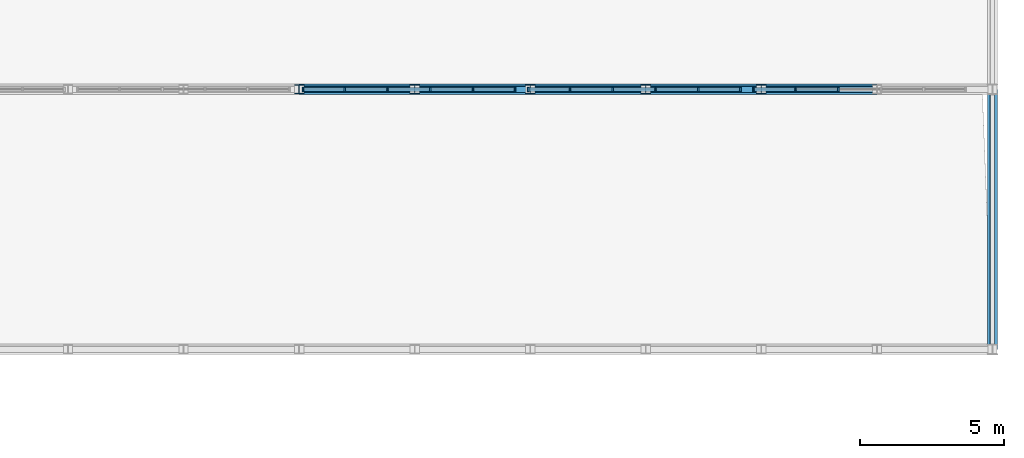
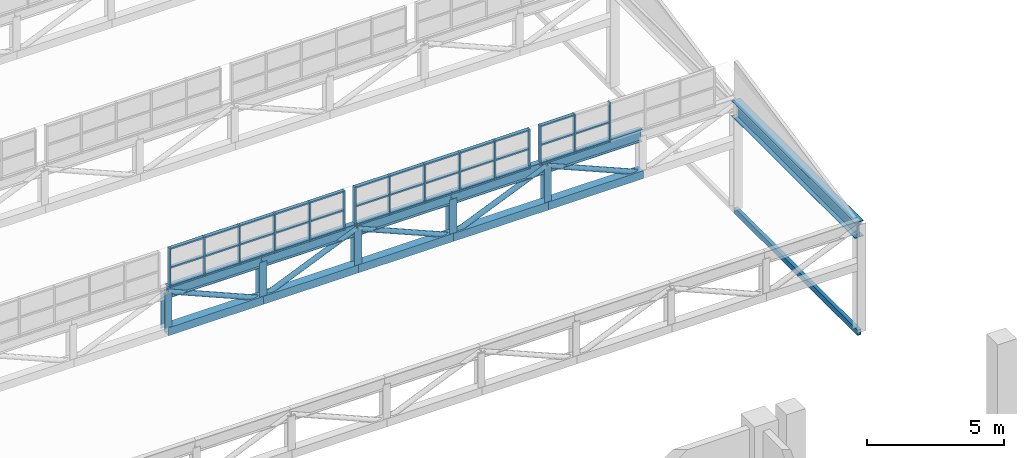
# One storey, part 86 of 159: 70 members, 2 beams, 3 elements without a shape of their own.
"""IFC4 building model written with IfcOpenShell, lengths in metres."""

from ifc_helpers import new_model, si_unit, direction, frame, origin, origin_2d, place, context, subcontext, project, spatial, rectangle, hollow_rectangle, hollow_circle, i_section, extrude, material, layer, layer_set, material_profile, profile_set, type_object, element, aggregate, save


model = new_model("IFC4")

# Units and contexts
model_context = context("Model", 3, precision=1e-05, world=origin(), true_north=direction((0.0, 1.0)))
body_context = subcontext(model_context, "Body", "Model", "MODEL_VIEW")
ifc_project = project(units=[si_unit("LENGTHUNIT", "METRE"), si_unit("AREAUNIT", "SQUARE_METRE"), si_unit("VOLUMEUNIT", "CUBIC_METRE"), si_unit("PLANEANGLEUNIT", "RADIAN"), si_unit("MASSUNIT", "GRAM", prefix="KILO")], contexts=[model_context])

# Site, building, storey
site_placement = place(None, origin())
site = spatial("IfcSite", under=ifc_project, at=site_placement, CompositionType="ELEMENT")
building_placement = place(site_placement, origin())
building = spatial("IfcBuilding", under=site, at=building_placement, Name="Cazmaro Siding Exhibition Halls", CompositionType="ELEMENT")
storey_placement = place(building_placement, frame((0.0, 0.0, 6.0)))
storey = spatial("IfcBuildingStorey", under=building, at=storey_placement, Name="L01", CompositionType="ELEMENT", Elevation=6.0)

# Curtain wall, members
ifc_material_1 = material(Name="Anodized Bronze Aluminum and Solar-Control Low-E Glazing", Category="aluminium")
ifc_layer = layer(ifc_material_1, 0.159912109375)
ifc_layer_set = layer_set([ifc_layer], Name="Anodized Bronze Aluminum and Solar-Control Low-E Glazing")
curtain_wall_type = type_object("IfcCurtainWallType", Name="CWS-04", PredefinedType="USERDEFINED", material=ifc_layer_set)
curtain_wall_1_placement = place(storey_placement, origin())
curtain_wall_1 = element("IfcCurtainWall", 1, at=curtain_wall_1_placement, inside=storey, type_object=curtain_wall_type, Name="Clerestory Curtain Wall CWS-04 CW-112", ObjectType="CLERESTORY CURTAIN WALL", PredefinedType="USERDEFINED")
ifc_material_2 = material(Name="Anodized Bronze Extruded Aluminum", Category="aluminium")
ifc_material_profile_1 = material_profile(ifc_material_2, rectangle(XDim=0.159912109375, YDim=0.06005859375, at=origin_2d()), Name="CWM-04")
ifc_profile_set_1 = profile_set([ifc_material_profile_1], Name="Anodized Bronze Extruded Aluminum")
member_type_1 = type_object("IfcMemberType", Name="CWM-04", PredefinedType="MULLION", material=ifc_profile_set_1)
member_1_placement = place(storey_placement, frame((199.469970703125, 73.0, 4.800048828125), z_axis=(0.0, 0.0, 1.0), x_axis=(0.0, -1.0, 0.0)))
member_1 = element("IfcMember", 2, at=member_1_placement, type_object=member_type_1, Name="CWS-04 mullion 1", PredefinedType="MULLION", context=body_context, shape_type="SweptSolid", body=[
    extrude(rectangle(XDim=0.159912109375, YDim=0.06005859375, at=origin_2d()), origin(), (0.0, 0.0, 1.0), 1.75),
])
member_2_placement = place(storey_placement, frame((198.02001953125, 73.0, 4.800048828125), z_axis=(0.0, 0.0, 1.0), x_axis=(0.0, -1.0, 0.0)))
member_2 = element("IfcMember", 3, at=member_2_placement, type_object=member_type_1, Name="CWS-04 mullion 2", PredefinedType="MULLION", context=body_context, shape_type="SweptSolid", body=[
    extrude(rectangle(XDim=0.159912109375, YDim=0.06005859375, at=origin_2d()), origin(), (0.0, 0.0, 1.0), 1.75),
])
member_3_placement = place(storey_placement, frame((196.5400390625, 73.0, 4.800048828125), z_axis=(0.0, 0.0, 1.0), x_axis=(0.0, -1.0, 0.0)))
member_3 = element("IfcMember", 4, at=member_3_placement, type_object=member_type_1, Name="CWS-04 mullion 3", PredefinedType="MULLION", context=body_context, shape_type="SweptSolid", body=[
    extrude(rectangle(XDim=0.159912109375, YDim=0.06005859375, at=origin_2d()), origin(), (0.0, 0.0, 1.0), 1.75),
])
member_4_placement = place(storey_placement, frame((195.06005859375, 73.0, 4.800048828125), z_axis=(0.0, 0.0, 1.0), x_axis=(0.0, -1.0, 0.0)))
member_4 = element("IfcMember", 5, at=member_4_placement, type_object=member_type_1, Name="CWS-04 mullion 4", PredefinedType="MULLION", context=body_context, shape_type="SweptSolid", body=[
    extrude(rectangle(XDim=0.159912109375, YDim=0.06005859375, at=origin_2d()), origin(), (0.0, 0.0, 1.0), 1.75),
])
member_5_placement = place(storey_placement, frame((193.580078125, 73.0, 4.800048828125), z_axis=(0.0, 0.0, 1.0), x_axis=(0.0, -1.0, 0.0)))
member_5 = element("IfcMember", 6, at=member_5_placement, type_object=member_type_1, Name="CWS-04 mullion 5", PredefinedType="MULLION", context=body_context, shape_type="SweptSolid", body=[
    extrude(rectangle(XDim=0.159912109375, YDim=0.06005859375, at=origin_2d()), origin(), (0.0, 0.0, 1.0), 1.75),
])
member_6_placement = place(storey_placement, frame((192.1298828125, 73.0, 4.800048828125), z_axis=(0.0, 0.0, 1.0), x_axis=(0.0, -1.0, 0.0)))
member_6 = element("IfcMember", 7, at=member_6_placement, type_object=member_type_1, Name="CWS-04 mullion 6", PredefinedType="MULLION", context=body_context, shape_type="SweptSolid", body=[
    extrude(rectangle(XDim=0.159912109375, YDim=0.06005859375, at=origin_2d()), origin(), (0.0, 0.0, 1.0), 1.75),
])

curtain_wall_2_placement = place(storey_placement, origin())
curtain_wall_2 = element("IfcCurtainWall", 8, at=curtain_wall_2_placement, inside=storey, type_object=curtain_wall_type, Name="Clerestory Curtain Wall CWS-04 CW-113", ObjectType="CLERESTORY CURTAIN WALL", PredefinedType="USERDEFINED")
member_7_placement = place(storey_placement, frame((207.27001953125, 73.0, 4.800048828125), z_axis=(0.0, 0.0, 1.0), x_axis=(0.0, -1.0, 0.0)))
member_7 = element("IfcMember", 9, at=member_7_placement, type_object=member_type_1, Name="CWS-04 mullion 1", PredefinedType="MULLION", context=body_context, shape_type="SweptSolid", body=[
    extrude(rectangle(XDim=0.159912109375, YDim=0.06005859375, at=origin_2d()), origin(), (0.0, 0.0, 1.0), 1.75),
])
member_8_placement = place(storey_placement, frame((205.820068359375, 73.0, 4.800048828125), z_axis=(0.0, 0.0, 1.0), x_axis=(0.0, -1.0, 0.0)))
member_8 = element("IfcMember", 10, at=member_8_placement, type_object=member_type_1, Name="CWS-04 mullion 2", PredefinedType="MULLION", context=body_context, shape_type="SweptSolid", body=[
    extrude(rectangle(XDim=0.159912109375, YDim=0.06005859375, at=origin_2d()), origin(), (0.0, 0.0, 1.0), 1.75),
])
member_9_placement = place(storey_placement, frame((204.340087890625, 73.0, 4.800048828125), z_axis=(0.0, 0.0, 1.0), x_axis=(0.0, -1.0, 0.0)))
member_9 = element("IfcMember", 11, at=member_9_placement, type_object=member_type_1, Name="CWS-04 mullion 3", PredefinedType="MULLION", context=body_context, shape_type="SweptSolid", body=[
    extrude(rectangle(XDim=0.159912109375, YDim=0.06005859375, at=origin_2d()), origin(), (0.0, 0.0, 1.0), 1.75),
])
member_10_placement = place(storey_placement, frame((202.860107421875, 73.0, 4.800048828125), z_axis=(0.0, 0.0, 1.0), x_axis=(0.0, -1.0, 0.0)))
member_10 = element("IfcMember", 12, at=member_10_placement, type_object=member_type_1, Name="CWS-04 mullion 4", PredefinedType="MULLION", context=body_context, shape_type="SweptSolid", body=[
    extrude(rectangle(XDim=0.159912109375, YDim=0.06005859375, at=origin_2d()), origin(), (0.0, 0.0, 1.0), 1.75),
])
member_11_placement = place(storey_placement, frame((201.3798828125, 73.0, 4.800048828125), z_axis=(0.0, 0.0, 1.0), x_axis=(0.0, -1.0, 0.0)))
member_11 = element("IfcMember", 13, at=member_11_placement, type_object=member_type_1, Name="CWS-04 mullion 5", PredefinedType="MULLION", context=body_context, shape_type="SweptSolid", body=[
    extrude(rectangle(XDim=0.159912109375, YDim=0.06005859375, at=origin_2d()), origin(), (0.0, 0.0, 1.0), 1.75),
])
member_12_placement = place(storey_placement, frame((199.929931640625, 73.0, 4.800048828125), z_axis=(0.0, 0.0, 1.0), x_axis=(0.0, -1.0, 0.0)))
member_12 = element("IfcMember", 14, at=member_12_placement, type_object=member_type_1, Name="CWS-04 mullion 6", PredefinedType="MULLION", context=body_context, shape_type="SweptSolid", body=[
    extrude(rectangle(XDim=0.159912109375, YDim=0.06005859375, at=origin_2d()), origin(), (0.0, 0.0, 1.0), 1.75),
])

curtain_wall_3_placement = place(storey_placement, origin())
curtain_wall_3 = element("IfcCurtainWall", 15, at=curtain_wall_3_placement, inside=storey, type_object=curtain_wall_type, Name="Clerestory Curtain Wall CWS-04 CW-114", ObjectType="CLERESTORY CURTAIN WALL", PredefinedType="USERDEFINED")
member_13_placement = place(storey_placement, frame((210.659912109375, 73.0, 4.800048828125), z_axis=(0.0, 0.0, 1.0), x_axis=(0.0, -1.0, 0.0)))
member_13 = element("IfcMember", 16, at=member_13_placement, type_object=member_type_1, Name="CWS-04 mullion 4", PredefinedType="MULLION", context=body_context, shape_type="SweptSolid", body=[
    extrude(rectangle(XDim=0.159912109375, YDim=0.06005859375, at=origin_2d()), origin(), (0.0, 0.0, 1.0), 1.75),
])
member_14_placement = place(storey_placement, frame((209.179931640625, 73.0, 4.800048828125), z_axis=(0.0, 0.0, 1.0), x_axis=(0.0, -1.0, 0.0)))
member_14 = element("IfcMember", 17, at=member_14_placement, type_object=member_type_1, Name="CWS-04 mullion 5", PredefinedType="MULLION", context=body_context, shape_type="SweptSolid", body=[
    extrude(rectangle(XDim=0.159912109375, YDim=0.06005859375, at=origin_2d()), origin(), (0.0, 0.0, 1.0), 1.75),
])
member_15_placement = place(storey_placement, frame((207.72998046875, 73.0, 4.800048828125), z_axis=(0.0, 0.0, 1.0), x_axis=(0.0, -1.0, 0.0)))
member_15 = element("IfcMember", 18, at=member_15_placement, type_object=member_type_1, Name="CWS-04 mullion 6", PredefinedType="MULLION", context=body_context, shape_type="SweptSolid", body=[
    extrude(rectangle(XDim=0.159912109375, YDim=0.06005859375, at=origin_2d()), origin(), (0.0, 0.0, 1.0), 1.75),
])

# Member
ifc_material_3 = material(Name="Anodized Bronze Extruded Aluminum", Category="aluminium")
ifc_material_profile_2 = material_profile(ifc_material_3, rectangle(XDim=0.139892578125, YDim=0.06005859375, at=origin_2d()), Name="CWT-04")
ifc_profile_set_2 = profile_set([ifc_material_profile_2], Name="Anodized Bronze Extruded Aluminum")
member_type_2 = type_object("IfcMemberType", Name="CWT-04", PredefinedType="MULLION", material=ifc_profile_set_2)
member_16_placement = place(storey_placement, frame((199.43994140625, 73.0, 4.830078125), z_axis=(-1.0, 0.0, 0.0), x_axis=(0.0, -1.0, 0.0)))
member_16 = element("IfcMember", 19, at=member_16_placement, type_object=member_type_2, Name="CWS-04 transom 1.1", ObjectType="TRANSOM", PredefinedType="USERDEFINED", context=body_context, shape_type="SweptSolid", body=[
    extrude(rectangle(XDim=0.139892578125, YDim=0.06005859375, at=origin_2d()), origin(), (0.0, 0.0, 1.0), 1.389892578125),
])

member_17_placement = place(storey_placement, frame((199.43994140625, 73.0, 5.679931640625), z_axis=(-1.0, 0.0, 0.0), x_axis=(0.0, -1.0, 0.0)))
member_17 = element("IfcMember", 20, at=member_17_placement, type_object=member_type_2, Name="CWS-04 transom 1.2", ObjectType="TRANSOM", PredefinedType="USERDEFINED", context=body_context, shape_type="SweptSolid", body=[
    extrude(rectangle(XDim=0.139892578125, YDim=0.06005859375, at=origin_2d()), origin(), (0.0, 0.0, 1.0), 1.389892578125),
])

member_18_placement = place(storey_placement, frame((199.43994140625, 73.0, 6.52001953125), z_axis=(-1.0, 0.0, 0.0), x_axis=(0.0, -1.0, 0.0)))
member_18 = element("IfcMember", 21, at=member_18_placement, type_object=member_type_2, Name="CWS-04 transom 1.3", ObjectType="TRANSOM", PredefinedType="USERDEFINED", context=body_context, shape_type="SweptSolid", body=[
    extrude(rectangle(XDim=0.139892578125, YDim=0.06005859375, at=origin_2d()), origin(), (0.0, 0.0, 1.0), 1.389892578125),
])

member_19_placement = place(storey_placement, frame((197.989990234375, 73.0, 4.830078125), z_axis=(-1.0, 0.0, 0.0), x_axis=(0.0, -1.0, 0.0)))
member_19 = element("IfcMember", 22, at=member_19_placement, type_object=member_type_2, Name="CWS-04 transom 2.1", ObjectType="TRANSOM", PredefinedType="USERDEFINED", context=body_context, shape_type="SweptSolid", body=[
    extrude(rectangle(XDim=0.139892578125, YDim=0.06005859375, at=origin_2d()), origin(), (0.0, 0.0, 1.0), 1.419921875),
])

member_20_placement = place(storey_placement, frame((197.989990234375, 73.0, 5.679931640625), z_axis=(-1.0, 0.0, 0.0), x_axis=(0.0, -1.0, 0.0)))
member_20 = element("IfcMember", 23, at=member_20_placement, type_object=member_type_2, Name="CWS-04 transom 2.2", ObjectType="TRANSOM", PredefinedType="USERDEFINED", context=body_context, shape_type="SweptSolid", body=[
    extrude(rectangle(XDim=0.139892578125, YDim=0.06005859375, at=origin_2d()), origin(), (0.0, 0.0, 1.0), 1.419921875),
])

member_21_placement = place(storey_placement, frame((197.989990234375, 73.0, 6.52001953125), z_axis=(-1.0, 0.0, 0.0), x_axis=(0.0, -1.0, 0.0)))
member_21 = element("IfcMember", 24, at=member_21_placement, type_object=member_type_2, Name="CWS-04 transom 2.3", ObjectType="TRANSOM", PredefinedType="USERDEFINED", context=body_context, shape_type="SweptSolid", body=[
    extrude(rectangle(XDim=0.139892578125, YDim=0.06005859375, at=origin_2d()), origin(), (0.0, 0.0, 1.0), 1.419921875),
])

member_22_placement = place(storey_placement, frame((196.510009765625, 73.0, 4.830078125), z_axis=(-1.0, 0.0, 0.0), x_axis=(0.0, -1.0, 0.0)))
member_22 = element("IfcMember", 25, at=member_22_placement, type_object=member_type_2, Name="CWS-04 transom 3.1", ObjectType="TRANSOM", PredefinedType="USERDEFINED", context=body_context, shape_type="SweptSolid", body=[
    extrude(rectangle(XDim=0.139892578125, YDim=0.06005859375, at=origin_2d()), origin(), (0.0, 0.0, 1.0), 1.419921875),
])

member_23_placement = place(storey_placement, frame((196.510009765625, 73.0, 5.679931640625), z_axis=(-1.0, 0.0, 0.0), x_axis=(0.0, -1.0, 0.0)))
member_23 = element("IfcMember", 26, at=member_23_placement, type_object=member_type_2, Name="CWS-04 transom 3.2", ObjectType="TRANSOM", PredefinedType="USERDEFINED", context=body_context, shape_type="SweptSolid", body=[
    extrude(rectangle(XDim=0.139892578125, YDim=0.06005859375, at=origin_2d()), origin(), (0.0, 0.0, 1.0), 1.419921875),
])

member_24_placement = place(storey_placement, frame((196.510009765625, 73.0, 6.52001953125), z_axis=(-1.0, 0.0, 0.0), x_axis=(0.0, -1.0, 0.0)))
member_24 = element("IfcMember", 27, at=member_24_placement, type_object=member_type_2, Name="CWS-04 transom 3.3", ObjectType="TRANSOM", PredefinedType="USERDEFINED", context=body_context, shape_type="SweptSolid", body=[
    extrude(rectangle(XDim=0.139892578125, YDim=0.06005859375, at=origin_2d()), origin(), (0.0, 0.0, 1.0), 1.419921875),
])

member_25_placement = place(storey_placement, frame((195.030029296875, 73.0, 4.830078125), z_axis=(-1.0, 0.0, 0.0), x_axis=(0.0, -1.0, 0.0)))
member_25 = element("IfcMember", 28, at=member_25_placement, type_object=member_type_2, Name="CWS-04 transom 4.1", ObjectType="TRANSOM", PredefinedType="USERDEFINED", context=body_context, shape_type="SweptSolid", body=[
    extrude(rectangle(XDim=0.139892578125, YDim=0.06005859375, at=origin_2d()), origin(), (0.0, 0.0, 1.0), 1.419921875),
])

member_26_placement = place(storey_placement, frame((195.030029296875, 73.0, 5.679931640625), z_axis=(-1.0, 0.0, 0.0), x_axis=(0.0, -1.0, 0.0)))
member_26 = element("IfcMember", 29, at=member_26_placement, type_object=member_type_2, Name="CWS-04 transom 4.2", ObjectType="TRANSOM", PredefinedType="USERDEFINED", context=body_context, shape_type="SweptSolid", body=[
    extrude(rectangle(XDim=0.139892578125, YDim=0.06005859375, at=origin_2d()), origin(), (0.0, 0.0, 1.0), 1.419921875),
])

member_27_placement = place(storey_placement, frame((195.030029296875, 73.0, 6.52001953125), z_axis=(-1.0, 0.0, 0.0), x_axis=(0.0, -1.0, 0.0)))
member_27 = element("IfcMember", 30, at=member_27_placement, type_object=member_type_2, Name="CWS-04 transom 4.3", ObjectType="TRANSOM", PredefinedType="USERDEFINED", context=body_context, shape_type="SweptSolid", body=[
    extrude(rectangle(XDim=0.139892578125, YDim=0.06005859375, at=origin_2d()), origin(), (0.0, 0.0, 1.0), 1.419921875),
])

member_28_placement = place(storey_placement, frame((193.550048828125, 73.0, 4.830078125), z_axis=(-1.0, 0.0, 0.0), x_axis=(0.0, -1.0, 0.0)))
member_28 = element("IfcMember", 31, at=member_28_placement, type_object=member_type_2, Name="CWS-04 transom 5.1", ObjectType="TRANSOM", PredefinedType="USERDEFINED", context=body_context, shape_type="SweptSolid", body=[
    extrude(rectangle(XDim=0.139892578125, YDim=0.06005859375, at=origin_2d()), origin(), (0.0, 0.0, 1.0), 1.39013671875),
])

member_29_placement = place(storey_placement, frame((193.550048828125, 73.0, 5.679931640625), z_axis=(-1.0, 0.0, 0.0), x_axis=(0.0, -1.0, 0.0)))
member_29 = element("IfcMember", 32, at=member_29_placement, type_object=member_type_2, Name="CWS-04 transom 5.2", ObjectType="TRANSOM", PredefinedType="USERDEFINED", context=body_context, shape_type="SweptSolid", body=[
    extrude(rectangle(XDim=0.139892578125, YDim=0.06005859375, at=origin_2d()), origin(), (0.0, 0.0, 1.0), 1.39013671875),
])

member_30_placement = place(storey_placement, frame((193.550048828125, 73.0, 6.52001953125), z_axis=(-1.0, 0.0, 0.0), x_axis=(0.0, -1.0, 0.0)))
member_30 = element("IfcMember", 33, at=member_30_placement, type_object=member_type_2, Name="CWS-04 transom 5.3", ObjectType="TRANSOM", PredefinedType="USERDEFINED", context=body_context, shape_type="SweptSolid", body=[
    extrude(rectangle(XDim=0.139892578125, YDim=0.06005859375, at=origin_2d()), origin(), (0.0, 0.0, 1.0), 1.39013671875),
])

aggregate(curtain_wall_1, [member_1, member_2, member_3, member_4, member_5, member_6, member_16, member_17, member_18, member_19, member_20, member_21, member_22, member_23, member_24, member_25, member_26, member_27, member_28, member_29, member_30])

member_31_placement = place(storey_placement, frame((207.239990234375, 73.0, 4.830078125), z_axis=(-1.0, 0.0, 0.0), x_axis=(0.0, -1.0, 0.0)))
member_31 = element("IfcMember", 34, at=member_31_placement, type_object=member_type_2, Name="CWS-04 transom 1.1", ObjectType="TRANSOM", PredefinedType="USERDEFINED", context=body_context, shape_type="SweptSolid", body=[
    extrude(rectangle(XDim=0.139892578125, YDim=0.06005859375, at=origin_2d()), origin(), (0.0, 0.0, 1.0), 1.389892578125),
])

member_32_placement = place(storey_placement, frame((207.239990234375, 73.0, 5.679931640625), z_axis=(-1.0, 0.0, 0.0), x_axis=(0.0, -1.0, 0.0)))
member_32 = element("IfcMember", 35, at=member_32_placement, type_object=member_type_2, Name="CWS-04 transom 1.2", ObjectType="TRANSOM", PredefinedType="USERDEFINED", context=body_context, shape_type="SweptSolid", body=[
    extrude(rectangle(XDim=0.139892578125, YDim=0.06005859375, at=origin_2d()), origin(), (0.0, 0.0, 1.0), 1.389892578125),
])

member_33_placement = place(storey_placement, frame((207.239990234375, 73.0, 6.52001953125), z_axis=(-1.0, 0.0, 0.0), x_axis=(0.0, -1.0, 0.0)))
member_33 = element("IfcMember", 36, at=member_33_placement, type_object=member_type_2, Name="CWS-04 transom 1.3", ObjectType="TRANSOM", PredefinedType="USERDEFINED", context=body_context, shape_type="SweptSolid", body=[
    extrude(rectangle(XDim=0.139892578125, YDim=0.06005859375, at=origin_2d()), origin(), (0.0, 0.0, 1.0), 1.389892578125),
])

member_34_placement = place(storey_placement, frame((205.7900390625, 73.0, 4.830078125), z_axis=(-1.0, 0.0, 0.0), x_axis=(0.0, -1.0, 0.0)))
member_34 = element("IfcMember", 37, at=member_34_placement, type_object=member_type_2, Name="CWS-04 transom 2.1", ObjectType="TRANSOM", PredefinedType="USERDEFINED", context=body_context, shape_type="SweptSolid", body=[
    extrude(rectangle(XDim=0.139892578125, YDim=0.06005859375, at=origin_2d()), origin(), (0.0, 0.0, 1.0), 1.419921875),
])

member_35_placement = place(storey_placement, frame((205.7900390625, 73.0, 5.679931640625), z_axis=(-1.0, 0.0, 0.0), x_axis=(0.0, -1.0, 0.0)))
member_35 = element("IfcMember", 38, at=member_35_placement, type_object=member_type_2, Name="CWS-04 transom 2.2", ObjectType="TRANSOM", PredefinedType="USERDEFINED", context=body_context, shape_type="SweptSolid", body=[
    extrude(rectangle(XDim=0.139892578125, YDim=0.06005859375, at=origin_2d()), origin(), (0.0, 0.0, 1.0), 1.419921875),
])

member_36_placement = place(storey_placement, frame((205.7900390625, 73.0, 6.52001953125), z_axis=(-1.0, 0.0, 0.0), x_axis=(0.0, -1.0, 0.0)))
member_36 = element("IfcMember", 39, at=member_36_placement, type_object=member_type_2, Name="CWS-04 transom 2.3", ObjectType="TRANSOM", PredefinedType="USERDEFINED", context=body_context, shape_type="SweptSolid", body=[
    extrude(rectangle(XDim=0.139892578125, YDim=0.06005859375, at=origin_2d()), origin(), (0.0, 0.0, 1.0), 1.419921875),
])

member_37_placement = place(storey_placement, frame((204.31005859375, 73.0, 4.830078125), z_axis=(-1.0, 0.0, 0.0), x_axis=(0.0, -1.0, 0.0)))
member_37 = element("IfcMember", 40, at=member_37_placement, type_object=member_type_2, Name="CWS-04 transom 3.1", ObjectType="TRANSOM", PredefinedType="USERDEFINED", context=body_context, shape_type="SweptSolid", body=[
    extrude(rectangle(XDim=0.139892578125, YDim=0.06005859375, at=origin_2d()), origin(), (0.0, 0.0, 1.0), 1.420166015625),
])

member_38_placement = place(storey_placement, frame((204.31005859375, 73.0, 5.679931640625), z_axis=(-1.0, 0.0, 0.0), x_axis=(0.0, -1.0, 0.0)))
member_38 = element("IfcMember", 41, at=member_38_placement, type_object=member_type_2, Name="CWS-04 transom 3.2", ObjectType="TRANSOM", PredefinedType="USERDEFINED", context=body_context, shape_type="SweptSolid", body=[
    extrude(rectangle(XDim=0.139892578125, YDim=0.06005859375, at=origin_2d()), origin(), (0.0, 0.0, 1.0), 1.420166015625),
])

member_39_placement = place(storey_placement, frame((204.31005859375, 73.0, 6.52001953125), z_axis=(-1.0, 0.0, 0.0), x_axis=(0.0, -1.0, 0.0)))
member_39 = element("IfcMember", 42, at=member_39_placement, type_object=member_type_2, Name="CWS-04 transom 3.3", ObjectType="TRANSOM", PredefinedType="USERDEFINED", context=body_context, shape_type="SweptSolid", body=[
    extrude(rectangle(XDim=0.139892578125, YDim=0.06005859375, at=origin_2d()), origin(), (0.0, 0.0, 1.0), 1.420166015625),
])

member_40_placement = place(storey_placement, frame((202.830078125, 73.0, 4.830078125), z_axis=(-1.0, 0.0, 0.0), x_axis=(0.0, -1.0, 0.0)))
member_40 = element("IfcMember", 43, at=member_40_placement, type_object=member_type_2, Name="CWS-04 transom 4.1", ObjectType="TRANSOM", PredefinedType="USERDEFINED", context=body_context, shape_type="SweptSolid", body=[
    extrude(rectangle(XDim=0.139892578125, YDim=0.06005859375, at=origin_2d()), origin(), (0.0, 0.0, 1.0), 1.420166015625),
])

member_41_placement = place(storey_placement, frame((202.830078125, 73.0, 5.679931640625), z_axis=(-1.0, 0.0, 0.0), x_axis=(0.0, -1.0, 0.0)))
member_41 = element("IfcMember", 44, at=member_41_placement, type_object=member_type_2, Name="CWS-04 transom 4.2", ObjectType="TRANSOM", PredefinedType="USERDEFINED", context=body_context, shape_type="SweptSolid", body=[
    extrude(rectangle(XDim=0.139892578125, YDim=0.06005859375, at=origin_2d()), origin(), (0.0, 0.0, 1.0), 1.420166015625),
])

member_42_placement = place(storey_placement, frame((202.830078125, 73.0, 6.52001953125), z_axis=(-1.0, 0.0, 0.0), x_axis=(0.0, -1.0, 0.0)))
member_42 = element("IfcMember", 45, at=member_42_placement, type_object=member_type_2, Name="CWS-04 transom 4.3", ObjectType="TRANSOM", PredefinedType="USERDEFINED", context=body_context, shape_type="SweptSolid", body=[
    extrude(rectangle(XDim=0.139892578125, YDim=0.06005859375, at=origin_2d()), origin(), (0.0, 0.0, 1.0), 1.420166015625),
])

member_43_placement = place(storey_placement, frame((201.35009765625, 73.0, 4.830078125), z_axis=(-1.0, 0.0, 0.0), x_axis=(0.0, -1.0, 0.0)))
member_43 = element("IfcMember", 46, at=member_43_placement, type_object=member_type_2, Name="CWS-04 transom 5.1", ObjectType="TRANSOM", PredefinedType="USERDEFINED", context=body_context, shape_type="SweptSolid", body=[
    extrude(rectangle(XDim=0.139892578125, YDim=0.06005859375, at=origin_2d()), origin(), (0.0, 0.0, 1.0), 1.39013671875),
])

member_44_placement = place(storey_placement, frame((201.35009765625, 73.0, 5.679931640625), z_axis=(-1.0, 0.0, 0.0), x_axis=(0.0, -1.0, 0.0)))
member_44 = element("IfcMember", 47, at=member_44_placement, type_object=member_type_2, Name="CWS-04 transom 5.2", ObjectType="TRANSOM", PredefinedType="USERDEFINED", context=body_context, shape_type="SweptSolid", body=[
    extrude(rectangle(XDim=0.139892578125, YDim=0.06005859375, at=origin_2d()), origin(), (0.0, 0.0, 1.0), 1.39013671875),
])

member_45_placement = place(storey_placement, frame((201.35009765625, 73.0, 6.52001953125), z_axis=(-1.0, 0.0, 0.0), x_axis=(0.0, -1.0, 0.0)))
member_45 = element("IfcMember", 48, at=member_45_placement, type_object=member_type_2, Name="CWS-04 transom 5.3", ObjectType="TRANSOM", PredefinedType="USERDEFINED", context=body_context, shape_type="SweptSolid", body=[
    extrude(rectangle(XDim=0.139892578125, YDim=0.06005859375, at=origin_2d()), origin(), (0.0, 0.0, 1.0), 1.39013671875),
])

aggregate(curtain_wall_2, [member_7, member_8, member_9, member_10, member_11, member_12, member_31, member_32, member_33, member_34, member_35, member_36, member_37, member_38, member_39, member_40, member_41, member_42, member_43, member_44, member_45])

member_46_placement = place(storey_placement, frame((210.6298828125, 73.0, 4.830078125), z_axis=(-1.0, 0.0, 0.0), x_axis=(0.0, -1.0, 0.0)))
member_46 = element("IfcMember", 49, at=member_46_placement, type_object=member_type_2, Name="CWS-04 transom 4.1", ObjectType="TRANSOM", PredefinedType="USERDEFINED", context=body_context, shape_type="SweptSolid", body=[
    extrude(rectangle(XDim=0.139892578125, YDim=0.06005859375, at=origin_2d()), origin(), (0.0, 0.0, 1.0), 1.419921875),
])

member_47_placement = place(storey_placement, frame((210.6298828125, 73.0, 5.679931640625), z_axis=(-1.0, 0.0, 0.0), x_axis=(0.0, -1.0, 0.0)))
member_47 = element("IfcMember", 50, at=member_47_placement, type_object=member_type_2, Name="CWS-04 transom 4.2", ObjectType="TRANSOM", PredefinedType="USERDEFINED", context=body_context, shape_type="SweptSolid", body=[
    extrude(rectangle(XDim=0.139892578125, YDim=0.06005859375, at=origin_2d()), origin(), (0.0, 0.0, 1.0), 1.419921875),
])

member_48_placement = place(storey_placement, frame((209.14990234375, 73.0, 4.830078125), z_axis=(-1.0, 0.0, 0.0), x_axis=(0.0, -1.0, 0.0)))
member_48 = element("IfcMember", 51, at=member_48_placement, type_object=member_type_2, Name="CWS-04 transom 5.1", ObjectType="TRANSOM", PredefinedType="USERDEFINED", context=body_context, shape_type="SweptSolid", body=[
    extrude(rectangle(XDim=0.139892578125, YDim=0.06005859375, at=origin_2d()), origin(), (0.0, 0.0, 1.0), 1.389892578125),
])

member_49_placement = place(storey_placement, frame((209.14990234375, 73.0, 5.679931640625), z_axis=(-1.0, 0.0, 0.0), x_axis=(0.0, -1.0, 0.0)))
member_49 = element("IfcMember", 52, at=member_49_placement, type_object=member_type_2, Name="CWS-04 transom 5.2", ObjectType="TRANSOM", PredefinedType="USERDEFINED", context=body_context, shape_type="SweptSolid", body=[
    extrude(rectangle(XDim=0.139892578125, YDim=0.06005859375, at=origin_2d()), origin(), (0.0, 0.0, 1.0), 1.389892578125),
])

member_50_placement = place(storey_placement, frame((209.14990234375, 73.0, 6.52001953125), z_axis=(-1.0, 0.0, 0.0), x_axis=(0.0, -1.0, 0.0)))
member_50 = element("IfcMember", 53, at=member_50_placement, type_object=member_type_2, Name="CWS-04 transom 5.3", ObjectType="TRANSOM", PredefinedType="USERDEFINED", context=body_context, shape_type="SweptSolid", body=[
    extrude(rectangle(XDim=0.139892578125, YDim=0.06005859375, at=origin_2d()), origin(), (0.0, 0.0, 1.0), 1.389892578125),
])

aggregate(curtain_wall_3, [member_13, member_14, member_15, member_46, member_47, member_48, member_49, member_50])

# Beams
ifc_material_4 = material(Name="Steel ASTM A992 Grade 50", Category="steel")
ifc_material_profile_3 = material_profile(ifc_material_4, i_section(OverallWidth=0.35595703125, OverallDepth=0.696044921875, WebThickness=0.014892578125, FlangeThickness=0.02490234375, at=origin_2d()), Name="W27X146")
ifc_profile_set_3 = profile_set([ifc_material_profile_3], Name="Steel ASTM A992 Grade 50")
beam_type_1 = type_object("IfcBeamType", Name="G-05", PredefinedType="USERDEFINED", material=ifc_profile_set_3)
beam_1_placement = place(storey_placement, frame((216.0, 64.0, 4.451904296875), z_axis=(0.0, 1.0, 0.0), x_axis=(-1.0, 0.0, 0.0)))
element("IfcBeam", 54, at=beam_1_placement, inside=storey, type_object=beam_type_1, Name="Beam G-05 BM-1546", ObjectType="GIRDER", PredefinedType="USERDEFINED", context=body_context, shape_type="SweptSolid", body=[
    extrude(i_section(OverallWidth=0.35595703125, OverallDepth=0.696044921875, WebThickness=0.014892578125, FlangeThickness=0.02490234375, at=origin_2d()), origin(), (0.0, 0.0, 1.0), 9.0),
])
ifc_material_5 = material(Name="Steel ASTM A500 Grade C", Category="steel")
ifc_material_profile_4 = material_profile(ifc_material_5, hollow_rectangle(XDim=0.152099609375, YDim=0.25390625, WallThickness=0.011962890625, at=origin_2d()), Name="HSS10X6X1/2")
ifc_profile_set_4 = profile_set([ifc_material_profile_4], Name="Steel ASTM A500 Grade C")
beam_type_2 = type_object("IfcBeamType", Name="SP-02", PredefinedType="SPANDREL", material=ifc_profile_set_4)
beam_2_placement = place(storey_placement, frame((216.0, 64.0, -0.126953125), z_axis=(0.0, 1.0, 0.0), x_axis=(-1.0, 0.0, 0.0)))
element("IfcBeam", 55, at=beam_2_placement, inside=storey, type_object=beam_type_2, Name="Beam SP-02 BM-1545", PredefinedType="SPANDREL", context=body_context, shape_type="SweptSolid", body=[
    extrude(hollow_rectangle(XDim=0.152099609375, YDim=0.25390625, WallThickness=0.011962890625, at=origin_2d()), origin(), (0.0, 0.0, 1.0), 9.0),
])

# Members
ifc_material_6 = material(Name="Steel ASTM A992 Grade 50", Category="steel")
ifc_material_profile_5 = material_profile(ifc_material_6, i_section(OverallWidth=0.214111328125, OverallDepth=0.549072265625, WebThickness=0.014892578125, FlangeThickness=0.02392578125, at=origin_2d()), Name="W21X93")
ifc_profile_set_5 = profile_set([ifc_material_profile_5], Name="Steel ASTM A992 Grade 50")
member_type_3 = type_object("IfcMemberType", Name="TC-04", PredefinedType="CHORD", material=ifc_profile_set_5)
for number, where, z_axis, x_axis, name in (
    (56, (192.0, 73.0, 4.64990234375), (1.0, 0.0, 0.0), (0.0, 1.0, 0.0), "Sawtooth truss top chord TC-04 MEM-3022"),
    (57, (196.0, 73.0, 4.64990234375), (1.0, 0.0, 0.0), (0.0, 1.0, 0.0), "Sawtooth truss top chord TC-04 MEM-3025"),
    (58, (200.0, 73.0, 4.64990234375), (1.0, 0.0, 0.0), (0.0, 1.0, 0.0), "Sawtooth truss top chord TC-04 MEM-3028"),
    (59, (204.0, 73.0, 4.64990234375), (1.0, 0.0, 0.0), (0.0, 1.0, 0.0), "Sawtooth truss top chord TC-04 MEM-3031"),
    (60, (208.0, 73.0, 4.64990234375), (1.0, 0.0, 0.0), (0.0, 1.0, 0.0), "Sawtooth truss top chord TC-04 MEM-3034"),
):
    element("IfcMember", number, at=place(storey_placement, frame(where, z_axis=z_axis, x_axis=x_axis)), inside=storey, type_object=member_type_3, Name=name, PredefinedType="CHORD", context=body_context, shape_type="SweptSolid", body=[
        extrude(i_section(OverallWidth=0.214111328125, OverallDepth=0.549072265625, WebThickness=0.014892578125, FlangeThickness=0.02392578125, at=origin_2d()), origin(), (0.0, 0.0, 1.0), 4.0),
    ])
ifc_material_7 = material(Name="Steel ASTM A500 Grade C", Category="steel")
ifc_material_profile_6 = material_profile(ifc_material_7, hollow_rectangle(XDim=0.35595703125, YDim=0.35595703125, WallThickness=0.014892578125, at=origin_2d()), Name="HSS14X14X5/8")
ifc_profile_set_6 = profile_set([ifc_material_profile_6], Name="Steel ASTM A500 Grade C")
member_type_4 = type_object("IfcMemberType", Name="TC-05", PredefinedType="CHORD", material=ifc_profile_set_6)
for number, where, z_axis, x_axis, name in (
    (61, (192.0, 73.0, 2.949951171875), (1.0, 0.0, 0.0), (0.0, 1.0, 0.0), "Sawtooth truss bottom chord TC-05 MEM-3023"),
    (62, (196.0, 73.0, 2.949951171875), (1.0, 0.0, 0.0), (0.0, 1.0, 0.0), "Sawtooth truss bottom chord TC-05 MEM-3026"),
    (63, (200.0, 73.0, 2.949951171875), (1.0, 0.0, 0.0), (0.0, 1.0, 0.0), "Sawtooth truss bottom chord TC-05 MEM-3029"),
    (64, (204.0, 73.0, 2.949951171875), (1.0, 0.0, 0.0), (0.0, 1.0, 0.0), "Sawtooth truss bottom chord TC-05 MEM-3032"),
    (65, (208.0, 73.0, 2.949951171875), (1.0, 0.0, 0.0), (0.0, 1.0, 0.0), "Sawtooth truss bottom chord TC-05 MEM-3035"),
):
    element("IfcMember", number, at=place(storey_placement, frame(where, z_axis=z_axis, x_axis=x_axis)), inside=storey, type_object=member_type_4, Name=name, PredefinedType="CHORD", context=body_context, shape_type="SweptSolid", body=[
        extrude(hollow_rectangle(XDim=0.35595703125, YDim=0.35595703125, WallThickness=0.014892578125, at=origin_2d()), origin(), (0.0, 0.0, 1.0), 4.0),
    ])
ifc_material_8 = material(Name="Steel ASTM A992 Grade 50", Category="steel")
ifc_material_profile_7 = material_profile(ifc_material_8, i_section(OverallWidth=0.304931640625, OverallDepth=0.306884765625, WebThickness=0.010009765625, FlangeThickness=0.014892578125, at=origin_2d()), Name="W12X65")
ifc_profile_set_7 = profile_set([ifc_material_profile_7], Name="Steel ASTM A992 Grade 50")
member_type_5 = type_object("IfcMemberType", Name="TP-03", PredefinedType="POST", material=ifc_profile_set_7)
for number, where, z_axis, x_axis, name in (
    (66, (192.0, 73.0, 2.949951171875), (0.0, 0.0, 1.0), (1.0, 0.0, 0.0), "Sawtooth truss post TP-03 MEM-3043"),
    (67, (196.0, 73.0, 2.949951171875), (0.0, 0.0, 1.0), (1.0, 0.0, 0.0), "Sawtooth truss post TP-03 MEM-3044"),
    (68, (200.0, 73.0, 2.949951171875), (0.0, 0.0, 1.0), (1.0, 0.0, 0.0), "Sawtooth truss post TP-03 MEM-3045"),
    (69, (204.0, 73.0, 2.949951171875), (0.0, 0.0, 1.0), (1.0, 0.0, 0.0), "Sawtooth truss post TP-03 MEM-3046"),
    (70, (208.0, 73.0, 2.949951171875), (0.0, 0.0, 1.0), (1.0, 0.0, 0.0), "Sawtooth truss post TP-03 MEM-3047"),
):
    element("IfcMember", number, at=place(storey_placement, frame(where, z_axis=z_axis, x_axis=x_axis)), inside=storey, type_object=member_type_5, Name=name, PredefinedType="POST", context=body_context, shape_type="SweptSolid", body=[
        extrude(i_section(OverallWidth=0.304931640625, OverallDepth=0.306884765625, WebThickness=0.010009765625, FlangeThickness=0.014892578125, at=origin_2d()), origin(), (0.0, 0.0, 1.0), 1.699951171875),
    ])
ifc_material_9 = material(Name="Steel ASTM A500 Grade C", Category="steel")
ifc_material_profile_8 = material_profile(ifc_material_9, hollow_circle(Radius=0.109619140625, WallThickness=0.012939453125, at=origin_2d()), Name="PIPE8XS")
ifc_profile_set_8 = profile_set([ifc_material_profile_8], Name="Steel ASTM A500 Grade C")
member_type_6 = type_object("IfcMemberType", Name="WB-01", PredefinedType="BRACE", material=ifc_profile_set_8)
for number, where, z_axis, x_axis, name in (
    (71, (192.0, 73.0, 4.64990234375), (0.920334962612, 0.0, -0.391131124553), (0.0, 1.0, 0.0), "Sawtooth truss diagonal WB-01 MEM-3024"),
    (72, (196.0, 73.0, 2.949951171875), (0.920334962612, 0.0, 0.391131124553), (0.0, 1.0, 0.0), "Sawtooth truss diagonal WB-01 MEM-3027"),
    (73, (200.0, 73.0, 4.64990234375), (0.920334962612, 0.0, -0.391131124553), (0.0, 1.0, 0.0), "Sawtooth truss diagonal WB-01 MEM-3030"),
    (74, (204.0, 73.0, 2.949951171875), (0.920334962612, 0.0, 0.391131124553), (0.0, 1.0, 0.0), "Sawtooth truss diagonal WB-01 MEM-3033"),
    (75, (208.0, 73.0, 4.64990234375), (0.920334962612, 0.0, -0.391131124553), (0.0, 1.0, 0.0), "Sawtooth truss diagonal WB-01 MEM-3036"),
):
    element("IfcMember", number, at=place(storey_placement, frame(where, z_axis=z_axis, x_axis=x_axis)), inside=storey, type_object=member_type_6, Name=name, PredefinedType="BRACE", context=body_context, shape_type="SweptSolid", body=[
        extrude(hollow_circle(Radius=0.109619140625, WallThickness=0.012939453125, at=origin_2d()), origin(), (0.0, 0.0, 1.0), 4.34619140625),
    ])

save(model, "model.ifc")
